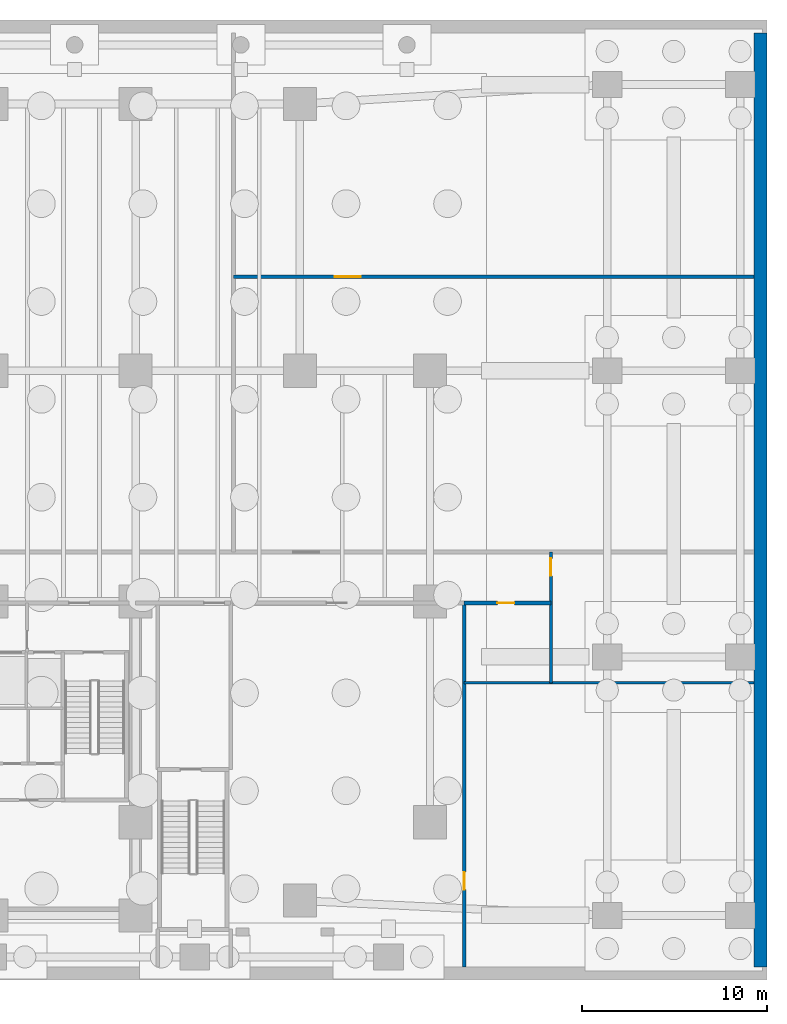
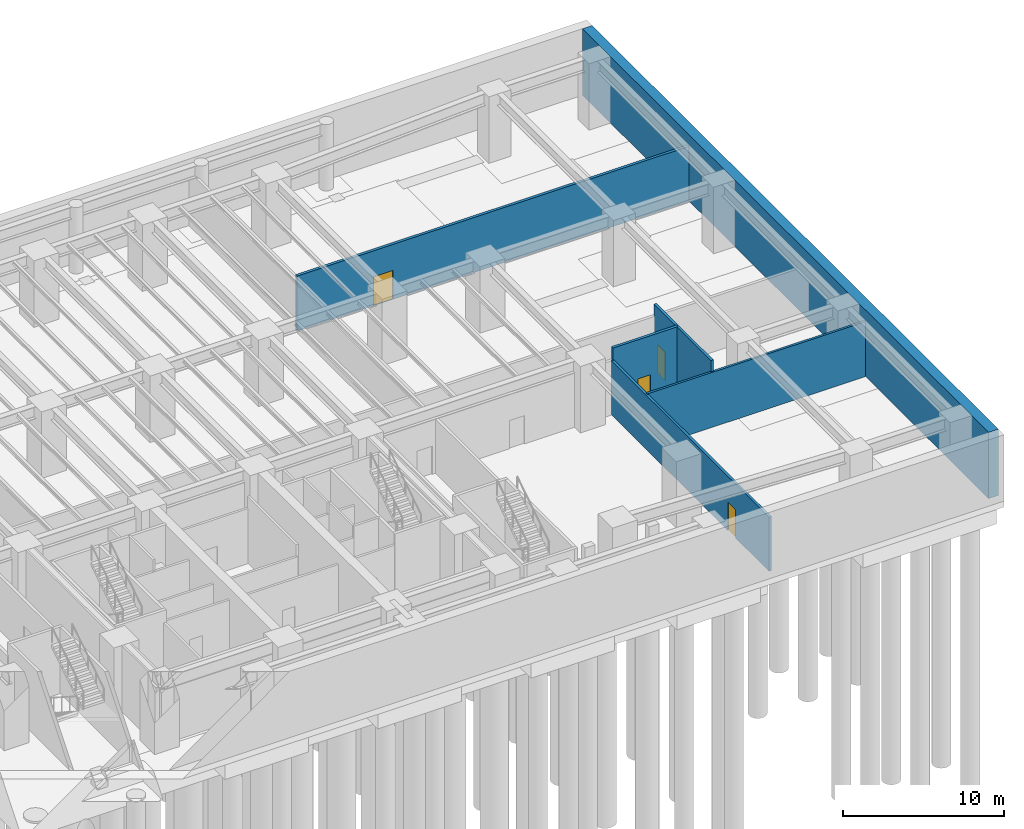
# One storey, part 9 of 12: 6 walls, 4 doors, 4 openings.
"""IFC4 building model written with IfcOpenShell, lengths in metres."""

import ifcopenshell
import ifcopenshell.guid

model = None  # the IFC model being written
_history = None  # IfcOwnerHistory: only IFC2X3 demands one
_inside = {}  # id of a spatial element -> (the spatial element, [elements in it])
_under = {}  # id of a project, library or spatial element -> (it, [spatial elements below it])
_declared = {}  # id of a project -> (the project, [libraries it declares])
_typed = {}  # id of a type object -> (the type object, [elements of that type])
_made_of = {}  # id of a material, layer set ... -> (it, [elements and type objects made of it])


def new_model(schema):
    """Start an empty IFC model of exactly this schema.

    Asked for "IFC4X3", IfcOpenShell would pick the latest addendum, in which some entities
    have other attributes; the version numbers below select the first issue.
    IFC2X3 requires an IfcOwnerHistory on every rooted entity: one is made here for all.
    """
    global model, _history
    if schema == "IFC4X3":
        model = ifcopenshell.file(schema_version=(4, 3, 0, 0))
    else:
        model = ifcopenshell.file(schema=schema)
    _inside.clear()
    _under.clear()
    _declared.clear()
    _typed.clear()
    _made_of.clear()
    _history = None
    if model.schema == "IFC2X3":
        org = make("IfcOrganization", Name="unknown")
        user = make(
            "IfcPersonAndOrganization",
            ThePerson=make("IfcPerson", FamilyName="unknown"),
            TheOrganization=org,
        )
        app = make(
            "IfcApplication",
            ApplicationDeveloper=org,
            Version="unknown",
            ApplicationFullName="unknown",
            ApplicationIdentifier="unknown",
        )
        _history = make(
            "IfcOwnerHistory",
            OwningUser=user,
            OwningApplication=app,
            ChangeAction="ADDED",
            CreationDate=0,
        )
    return model


def make(cls, **values):
    """One entity of the class cls with the attributes given. An attribute that is None is left unset."""
    return model.create_entity(
        cls, **{name: value for name, value in values.items() if value is not None}
    )


def rooted(cls, **values):
    """An entity with a GlobalId (a new one), such as an element, a storey or a relation."""
    return make(cls, GlobalId=ifcopenshell.guid.new(), OwnerHistory=_history, **values)


def si_unit(unit_type, name, prefix=None):
    """IfcSIUnit, for example si_unit("LENGTHUNIT", "METRE", prefix="MILLI")."""
    return make("IfcSIUnit", UnitType=unit_type, Prefix=prefix, Name=name)


def assignment(units):
    """IfcUnitAssignment: the units of a project."""
    return None if units is None else make("IfcUnitAssignment", Units=units)


def point(xyz):
    """IfcCartesianPoint."""
    return None if xyz is None else make("IfcCartesianPoint", Coordinates=xyz)


def direction(xyz):
    """IfcDirection."""
    return None if xyz is None else make("IfcDirection", DirectionRatios=xyz)


def frame(location, z_axis=None, x_axis=None):
    """IfcAxis2Placement3D, a coordinate frame: its origin and axes. An axis left out is left unset."""
    return make(
        "IfcAxis2Placement3D",
        Location=point(location),
        Axis=direction(z_axis),
        RefDirection=direction(x_axis),
    )


def frame_2d(location, x_axis=None):
    """IfcAxis2Placement2D, a coordinate frame in the plane: its origin and x axis."""
    return make(
        "IfcAxis2Placement2D", Location=point(location), RefDirection=direction(x_axis)
    )


def origin():
    """The frame at (0, 0, 0) with its axes left unset."""
    return frame((0.0, 0.0, 0.0))


def place(relative_to, where):
    """IfcLocalPlacement: puts the frame where relative to a parent placement (None: the world)."""
    return make(
        "IfcLocalPlacement", PlacementRelTo=relative_to, RelativePlacement=where
    )


def context(
    kind, dimensions, precision=None, world=None, true_north=None, identifier=None
):
    """IfcGeometricRepresentationContext, for example the 3D "Model" context."""
    return make(
        "IfcGeometricRepresentationContext",
        ContextIdentifier=identifier,
        ContextType=kind,
        CoordinateSpaceDimension=dimensions,
        Precision=precision,
        WorldCoordinateSystem=world,
        TrueNorth=true_north,
    )


def subcontext(parent, identifier, kind, view, scale=None):
    """IfcGeometricRepresentationSubContext, for example "Body" below "Model"."""
    return make(
        "IfcGeometricRepresentationSubContext",
        ContextIdentifier=identifier,
        ContextType=kind,
        ParentContext=parent,
        TargetScale=scale,
        TargetView=view,
    )


def project(units=None, contexts=None):
    """IfcProject with its units and contexts."""
    return rooted(
        "IfcProject",
        Name="project",
        RepresentationContexts=contexts,
        UnitsInContext=assignment(units),
    )


def spatial(cls, under=None, at=None, **own):
    """A site, building, storey or space (cls), placed at a placement, below another one or the project."""
    s = rooted(cls, ObjectPlacement=at, **own)
    if under is not None:
        _under.setdefault(under.id(), (under, []))[1].append(s)
    return s


def profile(cls, at=None, kind="AREA", **sizes):
    """A parametric profile (cls). Its sizes go by their IFC names, for example OverallWidth=200.0."""
    return make(cls, ProfileType=kind, Position=at, **sizes)


def rectangle(**sizes):
    """IfcRectangleProfileDef."""
    return profile("IfcRectangleProfileDef", **sizes)


def extrude(swept, where, along, depth):
    """IfcExtrudedAreaSolid: the profile swept, set in the frame where, extruded along a direction by depth."""
    return make(
        "IfcExtrudedAreaSolid",
        SweptArea=swept,
        Position=where,
        ExtrudedDirection=direction(along),
        Depth=depth,
    )


def shape(context_of_items, identifier, shape_type, items):
    """IfcShapeRepresentation: the items that make up one representation, for example the "Body"."""
    return make(
        "IfcShapeRepresentation",
        ContextOfItems=context_of_items,
        RepresentationIdentifier=identifier,
        RepresentationType=shape_type,
        Items=items,
    )


def material(Name=None, Category=None):
    """IfcMaterial."""
    return make("IfcMaterial", Name=Name, Category=Category)


def layer(
    of_material, thickness, ventilated=None, Name=None, Category=None, Priority=None
):
    """IfcMaterialLayer: one layer of a wall or slab, of a material (None: an air gap)."""
    return make(
        "IfcMaterialLayer",
        Material=of_material,
        LayerThickness=thickness,
        IsVentilated=ventilated,
        Name=Name,
        Category=Category,
        Priority=Priority,
    )


def layer_set(layers, Name=None):
    """IfcMaterialLayerSet."""
    return make("IfcMaterialLayerSet", MaterialLayers=layers, LayerSetName=Name)


def made_of(thing, what):
    """Note that an element or type object is made of a material, layer set ...; save() writes the relation."""
    if what is not None:
        _made_of.setdefault(what.id(), (what, []))[1].append(thing)
    return thing


def type_object(cls, material=None, **own):
    """A type object (cls), such as IfcWallType, which elements share."""
    return made_of(rooted(cls, **own), material)


def element(
    cls,
    number,
    at=None,
    inside=None,
    cuts=None,
    type_object=None,
    material=None,
    context=None,
    identifier="Body",
    shape_type=None,
    held_by="IfcProductDefinitionShape",
    body=None,
    shapes=None,
    **own,
):
    """One element of the class cls, such as IfcWall. Its Tag is "e" and its number.

    at: its placement. inside: the storey or other place that contains it. cuts: it is an
    opening in that element (IfcRelVoidsElement). A single representation is given by context,
    identifier, shape_type and body (its items); several are given by shapes. held_by: the class
    of the entity that holds the representations. save() writes the other relations.
    """
    e = rooted(cls, Tag="e%d" % number, ObjectPlacement=at, **own)
    if body is not None:
        shapes = [shape(context, identifier, shape_type, body)]
    if shapes is not None:
        e.Representation = make(held_by, Representations=shapes)
    if inside is not None:
        _inside.setdefault(inside.id(), (inside, []))[1].append(e)
    if cuts is not None:
        rooted(
            "IfcRelVoidsElement", RelatingBuildingElement=cuts, RelatedOpeningElement=e
        )
    if type_object is not None:
        _typed.setdefault(type_object.id(), (type_object, []))[1].append(e)
    return made_of(e, material)


def fill(opening, filler):
    """IfcRelFillsElement: the door or window that sits in an opening."""
    return rooted(
        "IfcRelFillsElement",
        RelatingOpeningElement=opening,
        RelatedBuildingElement=filler,
    )


def aggregate(whole, parts):
    """IfcRelAggregates: a whole, such as a stair, and the parts it consists of."""
    return rooted("IfcRelAggregates", RelatingObject=whole, RelatedObjects=parts)


def save(model, path):
    """Write the relations noted so far, then the file.

    IfcRelAggregates (storeys below a building ...), IfcRelContainedInSpatialStructure (elements
    in a storey), IfcRelDefinesByType, IfcRelAssociatesMaterial and IfcRelDeclares: one each for
    every whole, place, type object, material and project.
    """
    for whole, parts in _under.values():
        aggregate(whole, parts)
    for where, things in _inside.values():
        rooted(
            "IfcRelContainedInSpatialStructure",
            RelatedElements=things,
            RelatingStructure=where,
        )
    for kind, things in _typed.values():
        rooted("IfcRelDefinesByType", RelatedObjects=things, RelatingType=kind)
    for what, things in _made_of.values():
        rooted("IfcRelAssociatesMaterial", RelatedObjects=things, RelatingMaterial=what)
    for by, libraries in _declared.values():
        rooted("IfcRelDeclares", RelatingContext=by, RelatedDefinitions=libraries)
    model.write(path)


model = new_model("IFC4")

# Units and contexts
model_context = context("Model", 3, precision=1e-05, world=origin(), true_north=direction((0.0, 1.0)))
body_context = subcontext(model_context, "Body", "Model", "MODEL_VIEW")
ifc_project = project(units=[si_unit("LENGTHUNIT", "METRE"), si_unit("AREAUNIT", "SQUARE_METRE"), si_unit("VOLUMEUNIT", "CUBIC_METRE"), si_unit("PLANEANGLEUNIT", "RADIAN"), si_unit("MASSUNIT", "GRAM", prefix="KILO")], contexts=[model_context])

# Site, building, storey
site_placement = place(None, origin())
site = spatial("IfcSite", under=ifc_project, at=site_placement, CompositionType="ELEMENT")
building_placement = place(site_placement, origin())
building = spatial("IfcBuilding", under=site, at=building_placement, Name="Qalmaran Belvedere Hotel", CompositionType="ELEMENT")
storey_placement = place(building_placement, frame((0.0, 0.0, -5.39990234375)))
storey = spatial("IfcBuildingStorey", under=building, at=storey_placement, Name="B01", CompositionType="ELEMENT", Elevation=-5.39990234375)

# Wall
ifc_material_1 = material(Name="Gypsum Stud Partition")
ifc_layer_1 = layer(ifc_material_1, 0.159912109375, Name="Gypsum Stud Partition")
ifc_layer_set_1 = layer_set([ifc_layer_1], Name="Gypsum Stud Partition")
wall_type_1 = type_object("IfcWallType", Name="WL-INT-160-EI60", PredefinedType="PARTITIONING", material=ifc_layer_set_1)
wall_1_placement = place(storey_placement, frame((62.60009765625, 16.10009765625, 0.0), z_axis=(0.0, 0.0, 1.0), x_axis=(1.0, 0.0, 0.0)))
element("IfcWall", 1, at=wall_1_placement, inside=storey, type_object=wall_type_1, Name="B01 Partition WL-B01-STH", PredefinedType="PARTITIONING", context=body_context, shape_type="SweptSolid", body=[
    extrude(rectangle(XDim=15.699951171875, YDim=0.159912109375, at=frame_2d((7.85009765625, 0.0))), origin(), (0.0, 0.0, 1.0), 4.179931640625),
])

# Wall, opening, door
ifc_layer_2 = layer(ifc_material_1, 0.179931640625, Name="Gypsum Stud Partition")
ifc_layer_set_2 = layer_set([ifc_layer_2], Name="Gypsum Stud Partition")
wall_type_2 = type_object("IfcWallType", Name="WL-INT-180-EI60", PredefinedType="PARTITIONING", material=ifc_layer_set_2)
wall_2_placement = place(storey_placement, frame((62.60009765625, 0.699951171875, 0.0), z_axis=(0.0, 0.0, 1.0), x_axis=(0.0, 1.0, 0.0)))
wall_2 = element("IfcWall", 2, at=wall_2_placement, inside=storey, type_object=wall_type_2, Name="B01 Partition WL-B01-STV", PredefinedType="PARTITIONING", context=body_context, shape_type="SweptSolid", body=[
    extrude(rectangle(XDim=19.719970703125, YDim=0.179931640625, at=frame_2d((9.85986328125, 0.0))), origin(), (0.0, 0.0, 1.0), 4.114013671875),
])
opening_1_placement = place(wall_2_placement, frame((5.14990234375, 0.0, 0.0), z_axis=(0.0, 0.0, 1.0), x_axis=(-1.0, 0.0, 0.0)))
opening_1 = element("IfcOpeningElement", 3, at=opening_1_placement, cuts=wall_2, Name="Opening FD60", PredefinedType="OPENING", context=body_context, shape_type="SweptSolid", body=[
    extrude(rectangle(XDim=0.949951171875, YDim=2.14990234375, at=frame_2d((0.47509765625, 1.074951171875))), frame((0.0, 0.10009765625, 0.0), z_axis=(0.0, -1.0, 0.0), x_axis=(1.0, 0.0, 0.0)), (0.0, 0.0, 1.0), 0.199951171875),
])
ifc_material_2 = material(Name="Engineered Oak Veneer")
door_type_1 = type_object("IfcDoorType", Name="DR-FD60-950X2150", OperationType="NOTDEFINED", PredefinedType="DOOR", material=ifc_material_2)
door_1_placement = place(opening_1_placement, origin())
door_1 = element("IfcDoor", 4, at=door_1_placement, inside=storey, type_object=door_type_1, Name="B01 Staff Locker Door", OperationType="SINGLE_SWING_RIGHT", OverallHeight=2.14990234375, OverallWidth=0.949951171875, PredefinedType="DOOR", context=body_context, shape_type="SweptSolid", body=[
    extrude(rectangle(XDim=0.949951171875, YDim=2.14990234375, at=frame_2d((0.47509765625, 1.074951171875))), frame((0.0, 0.02490234375, 0.0), z_axis=(0.0, -1.0, 0.0), x_axis=(1.0, 0.0, 0.0)), (0.0, 0.0, 1.0), 0.050048828125),
])
fill(opening_1, door_1)

wall_3_placement = place(storey_placement, frame((67.300048828125, 16.10009765625, 0.0), z_axis=(0.0, 0.0, 1.0), x_axis=(0.0, 1.0, 0.0)))
wall_3 = element("IfcWall", 5, at=wall_3_placement, inside=storey, type_object=wall_type_2, Name="B01 Partition WL-B01-STV2", PredefinedType="PARTITIONING", context=body_context, shape_type="SweptSolid", body=[
    extrude(rectangle(XDim=7.079833984375, YDim=0.179931640625, at=frame_2d((3.5400390625, 0.0))), origin(), (0.0, 0.0, 1.0), 5.0498046875),
])
opening_2_placement = place(wall_3_placement, frame((6.741455078125, 0.0, 0.0), z_axis=(0.0, 0.0, 1.0), x_axis=(-1.0, 0.0, 0.0)))
opening_2 = element("IfcOpeningElement", 6, at=opening_2_placement, cuts=wall_3, Name="Opening FD60", PredefinedType="OPENING", context=body_context, shape_type="SweptSolid", body=[
    extrude(rectangle(XDim=0.949951171875, YDim=2.14990234375, at=frame_2d((0.47509765625, 1.074951171875))), frame((0.0, 0.10009765625, 0.0), z_axis=(0.0, -1.0, 0.0), x_axis=(1.0, 0.0, 0.0)), (0.0, 0.0, 1.0), 0.199951171875),
])
door_2_placement = place(opening_2_placement, origin())
door_2 = element("IfcDoor", 7, at=door_2_placement, inside=storey, type_object=door_type_1, Name="B01 Workshop Plant Door", OperationType="SINGLE_SWING_LEFT", OverallHeight=2.14990234375, OverallWidth=0.949951171875, PredefinedType="DOOR", context=body_context, shape_type="SweptSolid", body=[
    extrude(rectangle(XDim=0.949951171875, YDim=2.14990234375, at=frame_2d((0.47509765625, 1.074951171875))), frame((0.0, 0.02490234375, 0.0), z_axis=(0.0, -1.0, 0.0), x_axis=(1.0, 0.0, 0.0)), (0.0, 0.0, 1.0), 0.050048828125),
])
fill(opening_2, door_2)

ifc_material_3 = material(Name="Concrete C30/37 Blockwork", Category="masonry")
ifc_layer_3 = layer(ifc_material_3, 0.199951171875, Name="Concrete C30/37 Blockwork")
ifc_layer_set_3 = layer_set([ifc_layer_3], Name="Concrete C30/37 Blockwork")
wall_type_3 = type_object("IfcWallType", Name="WL-INT-200-EI120", PredefinedType="PARTITIONING", material=ifc_layer_set_3)
wall_4_placement = place(storey_placement, frame((62.60009765625, 20.419921875, 0.0), z_axis=(0.0, 0.0, 1.0), x_axis=(1.0, 0.0, 0.0)))
wall_4 = element("IfcWall", 8, at=wall_4_placement, inside=storey, type_object=wall_type_3, Name="B01 Partition WL-B01-CE3", PredefinedType="PARTITIONING", context=body_context, shape_type="SweptSolid", body=[
    extrude(rectangle(XDim=4.699951171875, YDim=0.199951171875, at=frame_2d((2.35009765625, 0.0))), origin(), (0.0, 0.0, 1.0), 5.0498046875),
])
opening_3_placement = place(wall_4_placement, frame((2.719970703125, 0.0, 0.0), z_axis=(0.0, 0.0, 1.0), x_axis=(-1.0, 0.0, 0.0)))
opening_3 = element("IfcOpeningElement", 9, at=opening_3_placement, cuts=wall_4, Name="Opening FD60S1", PredefinedType="OPENING", context=body_context, shape_type="SweptSolid", body=[
    extrude(rectangle(XDim=0.919921875, YDim=2.080078125, at=frame_2d((0.4599609375, 1.0400390625))), frame((0.0, 0.10986328125, 0.0), z_axis=(0.0, -1.0, 0.0), x_axis=(1.0, 0.0, 0.0)), (0.0, 0.0, 1.0), 0.219970703125),
])
door_type_2 = type_object("IfcDoorType", Name="DR-FD60S-920X2080", OperationType="NOTDEFINED", PredefinedType="DOOR", material=ifc_material_2)
door_3_placement = place(opening_3_placement, origin())
door_3 = element("IfcDoor", 10, at=door_3_placement, inside=storey, type_object=door_type_2, Name="B01 Staff WC Door", OperationType="SINGLE_SWING_RIGHT", OverallHeight=2.080078125, OverallWidth=0.919921875, PredefinedType="DOOR", context=body_context, shape_type="SweptSolid", body=[
    extrude(rectangle(XDim=0.919921875, YDim=2.080078125, at=frame_2d((0.4599609375, 1.0400390625))), frame((0.0, 0.02490234375, 0.0), z_axis=(0.0, -1.0, 0.0), x_axis=(1.0, 0.0, 0.0)), (0.0, 0.0, 1.0), 0.050048828125),
])
fill(opening_3, door_3)

wall_5_placement = place(storey_placement, frame((50.10009765625, 38.10009765625, 0.0), z_axis=(0.0, 0.0, 1.0), x_axis=(1.0, 0.0, 0.0)))
wall_5 = element("IfcWall", 11, at=wall_5_placement, inside=storey, type_object=wall_type_3, Name="B01 Partition WL-B01-P3", PredefinedType="PARTITIONING", context=body_context, shape_type="SweptSolid", body=[
    extrude(rectangle(XDim=28.199951171875, YDim=0.199951171875, at=frame_2d((14.10009765625, 0.0))), origin(), (0.0, 0.0, 1.0), 4.179931640625),
])
opening_4_placement = place(wall_5_placement, frame((5.5, 0.0, 0.0)))
opening_4 = element("IfcOpeningElement", 12, at=opening_4_placement, cuts=wall_5, Name="Opening FD90D", PredefinedType="OPENING", context=body_context, shape_type="SweptSolid", body=[
    extrude(rectangle(XDim=1.39990234375, YDim=2.199951171875, at=frame_2d((0.699951171875, 1.10009765625))), frame((0.0, 0.10986328125, 0.0), z_axis=(0.0, -1.0, 0.0), x_axis=(1.0, 0.0, 0.0)), (0.0, 0.0, 1.0), 0.219970703125),
])
ifc_material_4 = material(Name="Steel S355JR", Category="steel")
door_type_3 = type_object("IfcDoorType", Name="DR-FD90D-1400X2200", OperationType="NOTDEFINED", PredefinedType="DOOR", material=ifc_material_4)
door_4_placement = place(opening_4_placement, origin())
door_4 = element("IfcDoor", 13, at=door_4_placement, inside=storey, type_object=door_type_3, Name="B01 Generator Plant Door", OperationType="DOUBLE_DOOR_SINGLE_SWING", OverallHeight=2.199951171875, OverallWidth=1.39990234375, PredefinedType="DOOR", context=body_context, shape_type="SweptSolid", body=[
    extrude(rectangle(XDim=1.39990234375, YDim=2.199951171875, at=frame_2d((0.699951171875, 1.10009765625))), frame((0.0, 0.02490234375, 0.0), z_axis=(0.0, -1.0, 0.0), x_axis=(1.0, 0.0, 0.0)), (0.0, 0.0, 1.0), 0.050048828125),
])
fill(opening_4, door_4)

# Wall
ifc_material_5 = material(Name="Concrete C60/75", Category="concrete")
ifc_layer_4 = layer(ifc_material_5, 0.699951171875, Name="Concrete C60/75")
ifc_layer_set_4 = layer_set([ifc_layer_4], Name="Concrete C60/75")
wall_type_4 = type_object("IfcWallType", Name="WL-RET-700-C60", PredefinedType="SOLIDWALL", material=ifc_layer_set_4)
wall_6_placement = place(storey_placement, frame((78.64990234375, 0.699951171875, 0.0), z_axis=(0.0, 0.0, 1.0), x_axis=(0.0, 1.0, 0.0)))
element("IfcWall", 14, at=wall_6_placement, inside=storey, type_object=wall_type_4, Name="B01 Perimeter Retaining Wall E", PredefinedType="SOLIDWALL", context=body_context, shape_type="SweptSolid", body=[
    extrude(rectangle(XDim=50.60009765625, YDim=0.699951171875, at=frame_2d((25.300048828125, 0.0))), origin(), (0.0, 0.0, 1.0), 5.0498046875),
])

save(model, "model.ifc")
